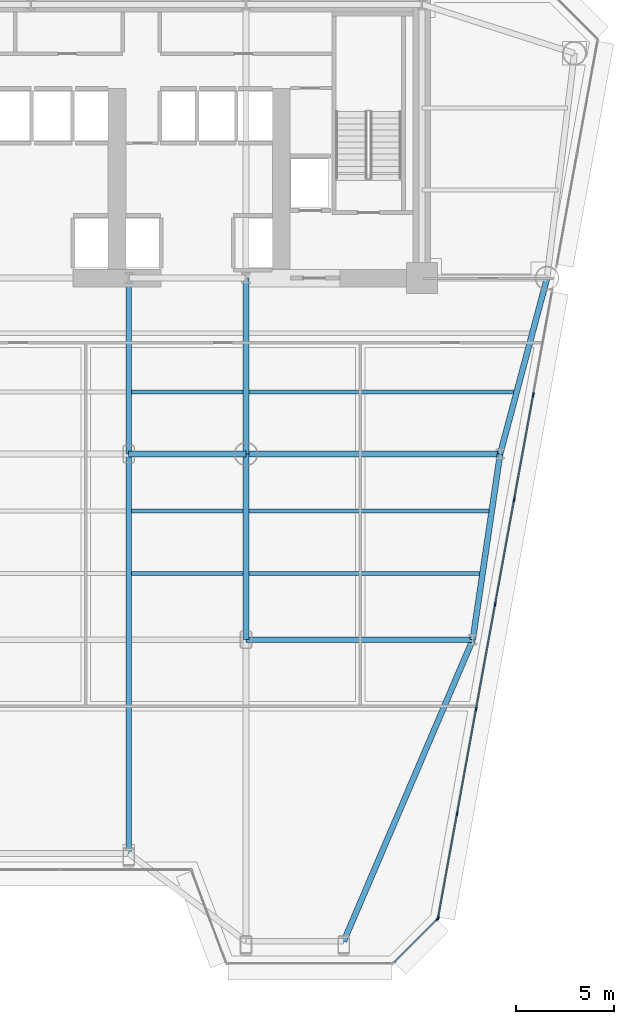
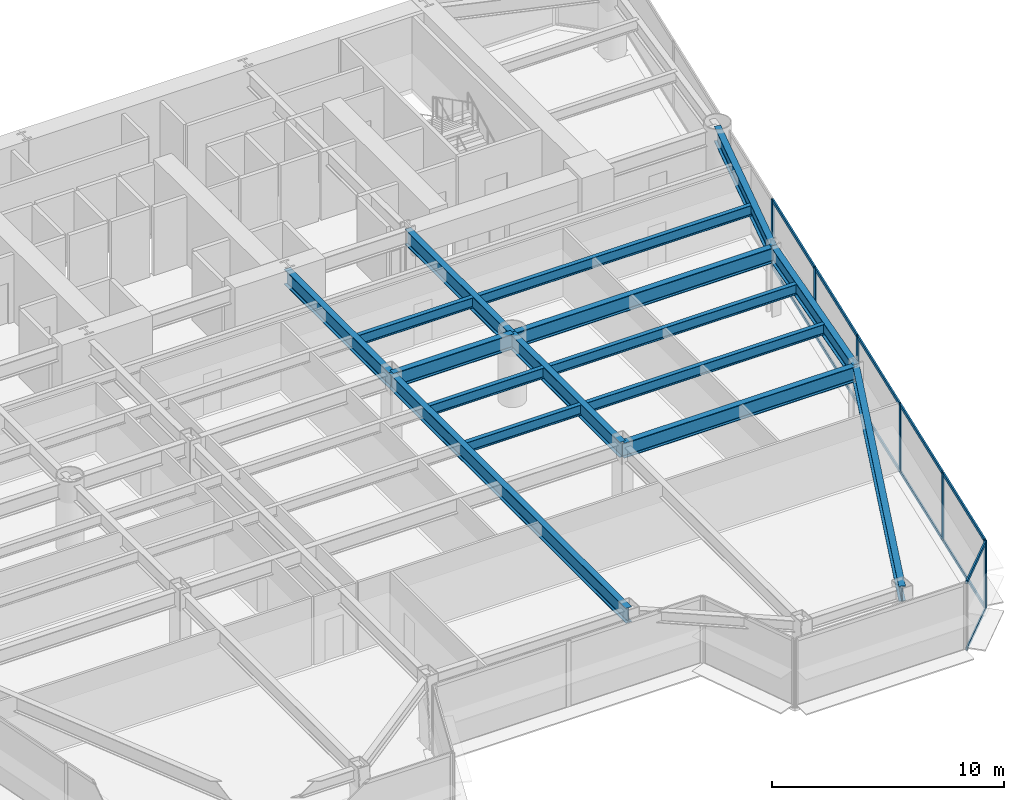
# One storey, part 4 of 14: 19 members, 16 beams, 2 elements without a shape of their own.
"""IFC4 building model written with IfcOpenShell, lengths in metres."""

from ifc_helpers import new_model, si_unit, direction, frame, origin, origin_2d, place, context, subcontext, project, spatial, rectangle, i_section, extrude, source, transform, mapped, material, layer, layer_set, material_profile, profile_set, type_object, element, aggregate, save


model = new_model("IFC4")

# Units and contexts
model_context = context("Model", 3, precision=1e-05, world=origin(), true_north=direction((0.0, 1.0)))
body_context = subcontext(model_context, "Body", "Model", "MODEL_VIEW")
ifc_project = project(units=[si_unit("LENGTHUNIT", "METRE"), si_unit("AREAUNIT", "SQUARE_METRE"), si_unit("VOLUMEUNIT", "CUBIC_METRE"), si_unit("PLANEANGLEUNIT", "RADIAN"), si_unit("MASSUNIT", "GRAM", prefix="KILO")], contexts=[model_context])

# Site, building, storey
site_placement = place(None, origin())
site = spatial("IfcSite", under=ifc_project, at=site_placement, CompositionType="ELEMENT")
building_placement = place(site_placement, origin())
building = spatial("IfcBuilding", under=site, at=building_placement, Name="Vaeldorn Concourse Tower", CompositionType="ELEMENT")
storey_placement = place(building_placement, frame((0.0, 0.0, 41.60009765625)))
storey = spatial("IfcBuildingStorey", under=building, at=storey_placement, Name="L10", CompositionType="ELEMENT", Elevation=41.60009765625)

# Beams
ifc_material_1 = material(Name="Steel S355", Category="steel")
ifc_material_profile_1 = material_profile(ifc_material_1, i_section(OverallWidth=0.300048828125, OverallDepth=0.800048828125, WebThickness=0.017578125, FlangeThickness=0.032958984375, FilletRadius=0.030029296875, at=origin_2d()), Name="HEB 800")
ifc_profile_set_1 = profile_set([ifc_material_profile_1], Name="Steel S355")
beam_type_1 = type_object("IfcBeamType", Name="BM-PG-HEB800", PredefinedType="BEAM", material=ifc_profile_set_1)
shared_shape_1 = source(origin(), body_context, "Body", "SweptSolid", [
    extrude(i_section(OverallWidth=0.300048828125, OverallDepth=0.800048828125, WebThickness=0.017578125, FlangeThickness=0.032958984375, FilletRadius=0.030029296875, at=origin_2d()), origin(), (0.0, 0.0, 1.0), 6.0),
])
beam_1_placement = place(storey_placement, frame((39.0, 27.5, 3.179931640625), z_axis=(1.0, 0.0, 0.0), x_axis=(0.0, 1.0, 0.0)))
element("IfcBeam", 1, at=beam_1_placement, inside=storey, type_object=beam_type_1, Name="Beam BM-L10-C-TW3-C-TW4", PredefinedType="BEAM", context=body_context, shape_type="MappedRepresentation", body=[
    mapped(shared_shape_1, transform((0.0, 0.0, 0.0), scale=1.0)),
])
shared_shape_2 = source(origin(), body_context, "Body", "SweptSolid", [
    extrude(i_section(OverallWidth=0.300048828125, OverallDepth=0.800048828125, WebThickness=0.017578125, FlangeThickness=0.032958984375, FilletRadius=0.030029296875, at=origin_2d()), origin(), (0.0, 0.0, 1.0), 9.0),
])
for number, where, z_axis, x_axis, name in (
    (2, (39.0, 27.5, 3.179931640625), (0.0, 1.0, 0.0), (-1.0, 0.0, 0.0), "Beam BM-L10-C-TW3-C-FC4"),
    (3, (45.0, 27.5, 3.179931640625), (0.0, 1.0, 0.0), (-1.0, 0.0, 0.0), "Beam BM-L10-C-TW4-C-FC5"),
):
    element("IfcBeam", number, at=place(storey_placement, frame(where, z_axis=z_axis, x_axis=x_axis)), inside=storey, type_object=beam_type_1, Name=name, PredefinedType="BEAM", context=body_context, shape_type="MappedRepresentation", body=[
        mapped(shared_shape_2, transform((0.0, 0.0, 0.0), scale=1.0)),
    ])
shared_shape_3 = source(origin(), body_context, "Body", "SweptSolid", [
    extrude(i_section(OverallWidth=0.300048828125, OverallDepth=0.800048828125, WebThickness=0.017578125, FlangeThickness=0.032958984375, FilletRadius=0.030029296875, at=origin_2d()), origin(), (0.0, 0.0, 1.0), 9.314453125),
])
beam_2_placement = place(storey_placement, frame((60.39990234375, 36.5, 3.179931640625), z_axis=(-0.257652862255, -0.966237549763, 0.0), x_axis=(0.966237549763, -0.257652862255, 0.0)))
element("IfcBeam", 4, at=beam_2_placement, inside=storey, type_object=beam_type_1, Name="Beam BM-L10-C-NE2-C-FLE1", PredefinedType="BEAM", context=body_context, shape_type="MappedRepresentation", body=[
    mapped(shared_shape_3, transform((0.0, 0.0, 0.0), scale=1.0)),
])
shared_shape_4 = source(origin(), body_context, "Body", "SweptSolid", [
    extrude(i_section(OverallWidth=0.300048828125, OverallDepth=0.800048828125, WebThickness=0.017578125, FlangeThickness=0.032958984375, FilletRadius=0.030029296875, at=origin_2d()), origin(), (0.0, 0.0, 1.0), 13.0),
])
beam_3_placement = place(storey_placement, frame((45.0, 27.5, 3.179931640625), z_axis=(1.0, 0.0, 0.0), x_axis=(0.0, 1.0, 0.0)))
element("IfcBeam", 5, at=beam_3_placement, inside=storey, type_object=beam_type_1, Name="Beam BM-L10-C-TW4-C-FLE1", PredefinedType="BEAM", context=body_context, shape_type="MappedRepresentation", body=[
    mapped(shared_shape_4, transform((0.0, 0.0, 0.0), scale=1.0)),
])
shared_shape_5 = source(origin(), body_context, "Body", "SweptSolid", [
    extrude(i_section(OverallWidth=0.300048828125, OverallDepth=0.800048828125, WebThickness=0.017578125, FlangeThickness=0.032958984375, FilletRadius=0.030029296875, at=origin_2d()), origin(), (0.0, 0.0, 1.0), 9.6025390625),
])
beam_4_placement = place(storey_placement, frame((58.0, 27.5, 3.179931640625), z_axis=(-0.145783835977, -0.989316467652, 0.0), x_axis=(0.989316467652, -0.145783835977, 0.0)))
element("IfcBeam", 6, at=beam_4_placement, inside=storey, type_object=beam_type_1, Name="Beam BM-L10-C-FLE1-C-FLE2", PredefinedType="BEAM", context=body_context, shape_type="MappedRepresentation", body=[
    mapped(shared_shape_5, transform((0.0, 0.0, 0.0), scale=1.0)),
])
shared_shape_6 = source(origin(), body_context, "Body", "SweptSolid", [
    extrude(i_section(OverallWidth=0.300048828125, OverallDepth=0.800048828125, WebThickness=0.017578125, FlangeThickness=0.032958984375, FilletRadius=0.030029296875, at=origin_2d()), origin(), (0.0, 0.0, 1.0), 11.60009765625),
])
beam_5_placement = place(storey_placement, frame((45.0, 18.0, 3.179931640625), z_axis=(1.0, 0.0, 0.0), x_axis=(0.0, 1.0, 0.0)))
element("IfcBeam", 7, at=beam_5_placement, inside=storey, type_object=beam_type_1, Name="Beam BM-L10-C-TW6-C-FLE2", PredefinedType="BEAM", context=body_context, shape_type="MappedRepresentation", body=[
    mapped(shared_shape_6, transform((0.0, 0.0, 0.0), scale=1.0)),
])
shared_shape_7 = source(origin(), body_context, "Body", "SweptSolid", [
    extrude(i_section(OverallWidth=0.300048828125, OverallDepth=0.800048828125, WebThickness=0.017578125, FlangeThickness=0.032958984375, FilletRadius=0.030029296875, at=origin_2d()), origin(), (0.0, 0.0, 1.0), 9.5),
])
beam_6_placement = place(storey_placement, frame((45.0, 18.0, 3.179931640625), z_axis=(0.0, 1.0, 0.0), x_axis=(-1.0, 0.0, 0.0)))
element("IfcBeam", 8, at=beam_6_placement, inside=storey, type_object=beam_type_1, Name="Beam BM-L10-C-TW6-C-TW4", PredefinedType="BEAM", context=body_context, shape_type="MappedRepresentation", body=[
    mapped(shared_shape_7, transform((0.0, 0.0, 0.0), scale=1.0)),
])
ifc_material_profile_2 = material_profile(ifc_material_1, i_section(OverallWidth=0.2099609375, OverallDepth=0.550048828125, WebThickness=0.010986328125, FlangeThickness=0.01708984375, FilletRadius=0.02392578125, at=origin_2d()), Name="IPE 550")
ifc_profile_set_2 = profile_set([ifc_material_profile_2], Name="Steel S355")
beam_type_2 = type_object("IfcBeamType", Name="BM-JS-IPE550", PredefinedType="JOIST", material=ifc_profile_set_2)
shared_shape_8 = source(origin(), body_context, "Body", "SweptSolid", [
    extrude(i_section(OverallWidth=0.2099609375, OverallDepth=0.550048828125, WebThickness=0.010986328125, FlangeThickness=0.01708984375, FilletRadius=0.02392578125, at=origin_2d()), origin(), (0.0, 0.0, 1.0), 5.7001953125),
])
for number, where, z_axis, x_axis, name in (
    (9, (39.14990234375, 21.3798828125, 3.304931640625), (1.0, 0.0, 0.0), (0.0, 1.0, 0.0), "Beam JS-L10-E2-213"),
    (10, (39.14990234375, 24.580078125, 3.304931640625), (1.0, 0.0, 0.0), (0.0, 1.0, 0.0), "Beam JS-L10-E2-245"),
    (11, (39.14990234375, 30.679931640625, 3.304931640625), (1.0, 0.0, 0.0), (0.0, 1.0, 0.0), "Beam JS-L10-E2-306"),
):
    element("IfcBeam", number, at=place(storey_placement, frame(where, z_axis=z_axis, x_axis=x_axis)), inside=storey, type_object=beam_type_2, Name=name, PredefinedType="JOIST", context=body_context, shape_type="MappedRepresentation", body=[
        mapped(shared_shape_8, transform((0.0, 0.0, 0.0), scale=1.0)),
    ])
shared_shape_9 = source(origin(), body_context, "Body", "SweptSolid", [
    extrude(i_section(OverallWidth=0.2099609375, OverallDepth=0.550048828125, WebThickness=0.010986328125, FlangeThickness=0.01708984375, FilletRadius=0.02392578125, at=origin_2d()), origin(), (0.0, 0.0, 1.0), 11.798095703125),
])
beam_7_placement = place(storey_placement, frame((45.14990234375, 21.3798828125, 3.304931640625), z_axis=(1.0, 0.0, 0.0), x_axis=(0.0, 1.0, 0.0)))
element("IfcBeam", 12, at=beam_7_placement, inside=storey, type_object=beam_type_2, Name="Beam JS-L10-E1-213", PredefinedType="JOIST", context=body_context, shape_type="MappedRepresentation", body=[
    mapped(shared_shape_9, transform((0.0, 0.0, 0.0), scale=1.0)),
])
shared_shape_10 = source(origin(), body_context, "Body", "SweptSolid", [
    extrude(i_section(OverallWidth=0.2099609375, OverallDepth=0.550048828125, WebThickness=0.010986328125, FlangeThickness=0.01708984375, FilletRadius=0.02392578125, at=origin_2d()), origin(), (0.0, 0.0, 1.0), 12.269775390625),
])
beam_8_placement = place(storey_placement, frame((45.14990234375, 24.580078125, 3.304931640625), z_axis=(1.0, 0.0, 0.0), x_axis=(0.0, 1.0, 0.0)))
element("IfcBeam", 13, at=beam_8_placement, inside=storey, type_object=beam_type_2, Name="Beam JS-L10-E1-245", PredefinedType="JOIST", context=body_context, shape_type="MappedRepresentation", body=[
    mapped(shared_shape_10, transform((0.0, 0.0, 0.0), scale=1.0)),
])
shared_shape_11 = source(origin(), body_context, "Body", "SweptSolid", [
    extrude(i_section(OverallWidth=0.2099609375, OverallDepth=0.550048828125, WebThickness=0.010986328125, FlangeThickness=0.01708984375, FilletRadius=0.02392578125, at=origin_2d()), origin(), (0.0, 0.0, 1.0), 13.548095703125),
])
beam_9_placement = place(storey_placement, frame((45.14990234375, 30.679931640625, 3.304931640625), z_axis=(1.0, 0.0, 0.0), x_axis=(0.0, 1.0, 0.0)))
element("IfcBeam", 14, at=beam_9_placement, inside=storey, type_object=beam_type_2, Name="Beam JS-L10-E1-306", PredefinedType="JOIST", context=body_context, shape_type="MappedRepresentation", body=[
    mapped(shared_shape_11, transform((0.0, 0.0, 0.0), scale=1.0)),
])
shared_shape_12 = source(origin(), body_context, "Body", "SweptSolid", [
    extrude(i_section(OverallWidth=0.300048828125, OverallDepth=0.800048828125, WebThickness=0.017578125, FlangeThickness=0.032958984375, FilletRadius=0.030029296875, at=origin_2d()), origin(), (0.0, 0.0, 1.0), 16.779052734375),
])
beam_10_placement = place(storey_placement, frame((50.0, 2.573486328125, 3.179931640625), z_axis=(0.393352013889, 0.919387944869, 0.0), x_axis=(-0.919387944869, 0.393352013889, 0.0)))
element("IfcBeam", 15, at=beam_10_placement, inside=storey, type_object=beam_type_1, Name="Beam BM-L10-C-SF6-C-FLE2", PredefinedType="BEAM", context=body_context, shape_type="MappedRepresentation", body=[
    mapped(shared_shape_12, transform((0.0, 0.0, 0.0), scale=1.0)),
])
shared_shape_13 = source(origin(), body_context, "Body", "SweptSolid", [
    extrude(i_section(OverallWidth=0.300048828125, OverallDepth=0.800048828125, WebThickness=0.017578125, FlangeThickness=0.032958984375, FilletRadius=0.030029296875, at=origin_2d()), origin(), (0.0, 0.0, 1.0), 20.426513671875),
])
beam_11_placement = place(storey_placement, frame((39.0, 7.073486328125, 3.179931640625), z_axis=(0.0, 1.0, 0.0), x_axis=(-1.0, 0.0, 0.0)))
element("IfcBeam", 16, at=beam_11_placement, inside=storey, type_object=beam_type_1, Name="Beam BM-L10-C-SF4-C-TW3", PredefinedType="BEAM", context=body_context, shape_type="MappedRepresentation", body=[
    mapped(shared_shape_13, transform((0.0, 0.0, 0.0), scale=1.0)),
])

# Curtain wall, member
ifc_material_2 = material(Name="Anodised Bronze Aluminium", Category="aluminium")
ifc_layer = layer(ifc_material_2, 0.219970703125)
ifc_layer_set = layer_set([ifc_layer], Name="Anodised Bronze Aluminium")
curtain_wall_type = type_object("IfcCurtainWallType", Name="CW-SYS-01", PredefinedType="NOTDEFINED", material=ifc_layer_set)
curtain_wall_1_placement = place(storey_placement, origin())
curtain_wall_1 = element("IfcCurtainWall", 17, at=curtain_wall_1_placement, inside=storey, type_object=curtain_wall_type, Name="Unitised Curtain Wall CW-L10-E06-1", PredefinedType="NOTDEFINED")
ifc_material_profile_3 = material_profile(ifc_material_2, rectangle(XDim=0.074951171875, YDim=0.219970703125, at=origin_2d()), Name="CWM 75x220")
ifc_profile_set_3 = profile_set([ifc_material_profile_3], Name="Anodised Bronze Aluminium")
member_type_1 = type_object("IfcMemberType", Name="CWM-BRONZE-220", PredefinedType="MULLION", material=ifc_profile_set_3)
shared_shape_14 = source(origin(), body_context, "Body", "SweptSolid", [
    extrude(rectangle(XDim=0.074951171875, YDim=0.219970703125, at=origin_2d()), origin(), (0.0, 0.0, 1.0), 3.579833984375),
])
member_1_placement = place(storey_placement, frame((54.795166015625, 3.7080078125, 0.0), z_axis=(0.0, 0.0, 1.0), x_axis=(-0.707106781187, 0.707106781187, 0.0)))
member_1 = element("IfcMember", 18, at=member_1_placement, type_object=member_type_1, Name="CW-01 mullion 2", PredefinedType="MULLION", context=body_context, shape_type="MappedRepresentation", body=[
    mapped(shared_shape_14, transform((0.0, 0.0, 0.0), scale=1.0)),
])

# Curtain wall, members
curtain_wall_2_placement = place(storey_placement, origin())
curtain_wall_2 = element("IfcCurtainWall", 19, at=curtain_wall_2_placement, inside=storey, type_object=curtain_wall_type, Name="Unitised Curtain Wall CW-L10-E07-1", PredefinedType="NOTDEFINED")
member_2_placement = place(storey_placement, frame((54.828369140625, 3.771484375, 0.0), z_axis=(0.0, 0.0, 1.0), x_axis=(-0.983859281973, 0.178943883036, 0.0)))
member_2 = element("IfcMember", 20, at=member_2_placement, type_object=member_type_1, Name="CW-01 mullion 1", PredefinedType="MULLION", context=body_context, shape_type="MappedRepresentation", body=[
    mapped(shared_shape_14, transform((0.0, 0.0, 0.0), scale=1.0)),
])
member_3_placement = place(storey_placement, frame((55.796142578125, 9.09228515625, 0.0), z_axis=(0.0, 0.0, 1.0), x_axis=(-0.983859281973, 0.178943883036, 0.0)))
member_3 = element("IfcMember", 21, at=member_3_placement, type_object=member_type_1, Name="CW-01 mullion 2", PredefinedType="MULLION", context=body_context, shape_type="MappedRepresentation", body=[
    mapped(shared_shape_14, transform((0.0, 0.0, 0.0), scale=1.0)),
])
member_4_placement = place(storey_placement, frame((56.7705078125, 14.449951171875, 0.0), z_axis=(0.0, 0.0, 1.0), x_axis=(-0.983859281973, 0.178943883036, 0.0)))
member_4 = element("IfcMember", 22, at=member_4_placement, type_object=member_type_1, Name="CW-01 mullion 3", PredefinedType="MULLION", context=body_context, shape_type="MappedRepresentation", body=[
    mapped(shared_shape_14, transform((0.0, 0.0, 0.0), scale=1.0)),
])
member_5_placement = place(storey_placement, frame((57.7451171875, 19.8076171875, 0.0), z_axis=(0.0, 0.0, 1.0), x_axis=(-0.983859281973, 0.178943883036, 0.0)))
member_5 = element("IfcMember", 23, at=member_5_placement, type_object=member_type_1, Name="CW-01 mullion 4", PredefinedType="MULLION", context=body_context, shape_type="MappedRepresentation", body=[
    mapped(shared_shape_14, transform((0.0, 0.0, 0.0), scale=1.0)),
])
member_6_placement = place(storey_placement, frame((58.719482421875, 25.165283203125, 0.0), z_axis=(0.0, 0.0, 1.0), x_axis=(-0.983859281973, 0.178943883036, 0.0)))
member_6 = element("IfcMember", 24, at=member_6_placement, type_object=member_type_1, Name="CW-01 mullion 5", PredefinedType="MULLION", context=body_context, shape_type="MappedRepresentation", body=[
    mapped(shared_shape_14, transform((0.0, 0.0, 0.0), scale=1.0)),
])
member_7_placement = place(storey_placement, frame((59.69384765625, 30.52294921875, 0.0), z_axis=(0.0, 0.0, 1.0), x_axis=(-0.983859281973, 0.178943883036, 0.0)))
member_7 = element("IfcMember", 25, at=member_7_placement, type_object=member_type_1, Name="CW-01 mullion 6", PredefinedType="MULLION", context=body_context, shape_type="MappedRepresentation", body=[
    mapped(shared_shape_14, transform((0.0, 0.0, 0.0), scale=1.0)),
])

# Member
ifc_material_profile_4 = material_profile(ifc_material_2, rectangle(XDim=0.074951171875, YDim=0.179931640625, at=origin_2d()), Name="CWT 75x180")
ifc_profile_set_4 = profile_set([ifc_material_profile_4], Name="Anodised Bronze Aluminium")
member_type_2 = type_object("IfcMemberType", Name="CWT-BRONZE-180", PredefinedType="USERDEFINED", material=ifc_profile_set_4)
shared_shape_15 = source(origin(), body_context, "Body", "SweptSolid", [
    extrude(rectangle(XDim=0.074951171875, YDim=0.179931640625, at=origin_2d()), origin(), (0.0, 0.0, 1.0), 3.1025390625),
])
member_8_placement = place(storey_placement, frame((52.57470703125, 1.487548828125, 0.037353515625), z_axis=(0.707106781187, 0.707106781187, 0.0), x_axis=(-0.707106781187, 0.707106781187, 0.0)))
member_8 = element("IfcMember", 26, at=member_8_placement, type_object=member_type_2, Name="CW-01 transom 1.1", ObjectType="TRANSOM", PredefinedType="USERDEFINED", context=body_context, shape_type="MappedRepresentation", body=[
    mapped(shared_shape_15, transform((0.0, 0.0, 0.0), scale=1.0)),
])

member_9_placement = place(storey_placement, frame((52.57470703125, 1.487548828125, 3.54248046875), z_axis=(0.707106781187, 0.707106781187, 0.0), x_axis=(-0.707106781187, 0.707106781187, 0.0)))
member_9 = element("IfcMember", 27, at=member_9_placement, type_object=member_type_2, Name="CW-01 transom 1.2", ObjectType="TRANSOM", PredefinedType="USERDEFINED", context=body_context, shape_type="MappedRepresentation", body=[
    mapped(shared_shape_15, transform((0.0, 0.0, 0.0), scale=1.0)),
])

aggregate(curtain_wall_1, [member_1, member_8, member_9])

shared_shape_16 = source(origin(), body_context, "Body", "SweptSolid", [
    extrude(rectangle(XDim=0.074951171875, YDim=0.179931640625, at=origin_2d()), origin(), (0.0, 0.0, 1.0), 5.3330078125),
])
member_10_placement = place(storey_placement, frame((54.835205078125, 3.808349609375, 0.037353515625), z_axis=(0.17895392461, 0.983857455563, 0.0), x_axis=(-0.983857455563, 0.17895392461, 0.0)))
member_10 = element("IfcMember", 28, at=member_10_placement, type_object=member_type_2, Name="CW-01 transom 1.1", ObjectType="TRANSOM", PredefinedType="USERDEFINED", context=body_context, shape_type="MappedRepresentation", body=[
    mapped(shared_shape_16, transform((0.0, 0.0, 0.0), scale=1.0)),
])

member_11_placement = place(storey_placement, frame((54.835205078125, 3.808349609375, 3.54248046875), z_axis=(0.17895392461, 0.983857455563, 0.0), x_axis=(-0.983857455563, 0.17895392461, 0.0)))
member_11 = element("IfcMember", 29, at=member_11_placement, type_object=member_type_2, Name="CW-01 transom 1.2", ObjectType="TRANSOM", PredefinedType="USERDEFINED", context=body_context, shape_type="MappedRepresentation", body=[
    mapped(shared_shape_16, transform((0.0, 0.0, 0.0), scale=1.0)),
])

shared_shape_17 = source(origin(), body_context, "Body", "SweptSolid", [
    extrude(rectangle(XDim=0.074951171875, YDim=0.179931640625, at=origin_2d()), origin(), (0.0, 0.0, 1.0), 5.370361328125),
])
member_12_placement = place(storey_placement, frame((55.802978515625, 9.129150390625, 0.037353515625), z_axis=(0.178933444521, 0.983861180468, 0.0), x_axis=(-0.983861180468, 0.178933444521, 0.0)))
member_12 = element("IfcMember", 30, at=member_12_placement, type_object=member_type_2, Name="CW-01 transom 2.1", ObjectType="TRANSOM", PredefinedType="USERDEFINED", context=body_context, shape_type="MappedRepresentation", body=[
    mapped(shared_shape_17, transform((0.0, 0.0, 0.0), scale=1.0)),
])

member_13_placement = place(storey_placement, frame((55.802978515625, 9.129150390625, 3.54248046875), z_axis=(0.178933444521, 0.983861180468, 0.0), x_axis=(-0.983861180468, 0.178933444521, 0.0)))
member_13 = element("IfcMember", 31, at=member_13_placement, type_object=member_type_2, Name="CW-01 transom 2.2", ObjectType="TRANSOM", PredefinedType="USERDEFINED", context=body_context, shape_type="MappedRepresentation", body=[
    mapped(shared_shape_17, transform((0.0, 0.0, 0.0), scale=1.0)),
])

member_14_placement = place(storey_placement, frame((56.77734375, 14.48681640625, 0.037353515625), z_axis=(0.178933444521, 0.983861180468, 0.0), x_axis=(-0.983861180468, 0.178933444521, 0.0)))
member_14 = element("IfcMember", 32, at=member_14_placement, type_object=member_type_2, Name="CW-01 transom 3.1", ObjectType="TRANSOM", PredefinedType="USERDEFINED", context=body_context, shape_type="MappedRepresentation", body=[
    mapped(shared_shape_17, transform((0.0, 0.0, 0.0), scale=1.0)),
])

member_15_placement = place(storey_placement, frame((56.77734375, 14.48681640625, 3.54248046875), z_axis=(0.178933444521, 0.983861180468, 0.0), x_axis=(-0.983861180468, 0.178933444521, 0.0)))
member_15 = element("IfcMember", 33, at=member_15_placement, type_object=member_type_2, Name="CW-01 transom 3.2", ObjectType="TRANSOM", PredefinedType="USERDEFINED", context=body_context, shape_type="MappedRepresentation", body=[
    mapped(shared_shape_17, transform((0.0, 0.0, 0.0), scale=1.0)),
])

member_16_placement = place(storey_placement, frame((57.751708984375, 19.844482421875, 0.037353515625), z_axis=(0.178977449192, 0.983853176384, 0.0), x_axis=(-0.983853176384, 0.178977449192, 0.0)))
member_16 = element("IfcMember", 34, at=member_16_placement, type_object=member_type_2, Name="CW-01 transom 4.1", ObjectType="TRANSOM", PredefinedType="USERDEFINED", context=body_context, shape_type="MappedRepresentation", body=[
    mapped(shared_shape_17, transform((0.0, 0.0, 0.0), scale=1.0)),
])

member_17_placement = place(storey_placement, frame((57.751708984375, 19.844482421875, 3.54248046875), z_axis=(0.178977449192, 0.983853176384, 0.0), x_axis=(-0.983853176384, 0.178977449192, 0.0)))
member_17 = element("IfcMember", 35, at=member_17_placement, type_object=member_type_2, Name="CW-01 transom 4.2", ObjectType="TRANSOM", PredefinedType="USERDEFINED", context=body_context, shape_type="MappedRepresentation", body=[
    mapped(shared_shape_17, transform((0.0, 0.0, 0.0), scale=1.0)),
])

member_18_placement = place(storey_placement, frame((58.726318359375, 25.2021484375, 0.037353515625), z_axis=(0.178933444521, 0.983861180468, 0.0), x_axis=(-0.983861180468, 0.178933444521, 0.0)))
member_18 = element("IfcMember", 36, at=member_18_placement, type_object=member_type_2, Name="CW-01 transom 5.1", ObjectType="TRANSOM", PredefinedType="USERDEFINED", context=body_context, shape_type="MappedRepresentation", body=[
    mapped(shared_shape_17, transform((0.0, 0.0, 0.0), scale=1.0)),
])

member_19_placement = place(storey_placement, frame((58.726318359375, 25.2021484375, 3.54248046875), z_axis=(0.178933444521, 0.983861180468, 0.0), x_axis=(-0.983861180468, 0.178933444521, 0.0)))
member_19 = element("IfcMember", 37, at=member_19_placement, type_object=member_type_2, Name="CW-01 transom 5.2", ObjectType="TRANSOM", PredefinedType="USERDEFINED", context=body_context, shape_type="MappedRepresentation", body=[
    mapped(shared_shape_17, transform((0.0, 0.0, 0.0), scale=1.0)),
])

aggregate(curtain_wall_2, [member_2, member_3, member_4, member_5, member_6, member_7, member_10, member_11, member_12, member_13, member_14, member_15, member_16, member_17, member_18, member_19])

save(model, "model.ifc")
